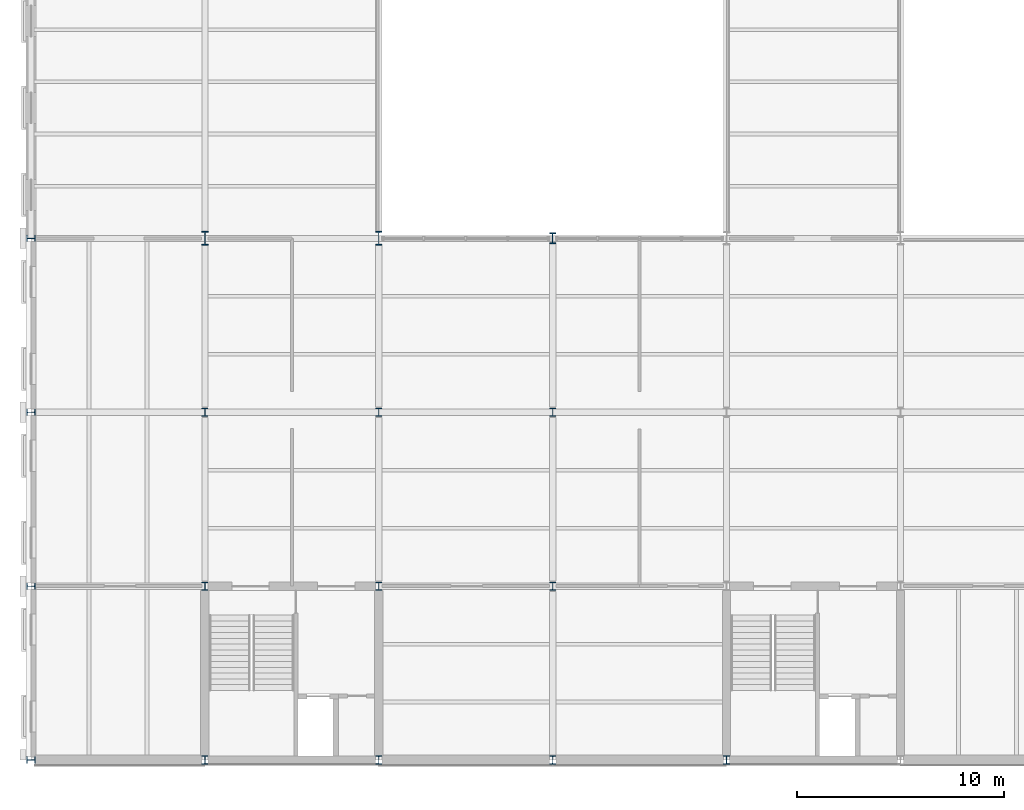
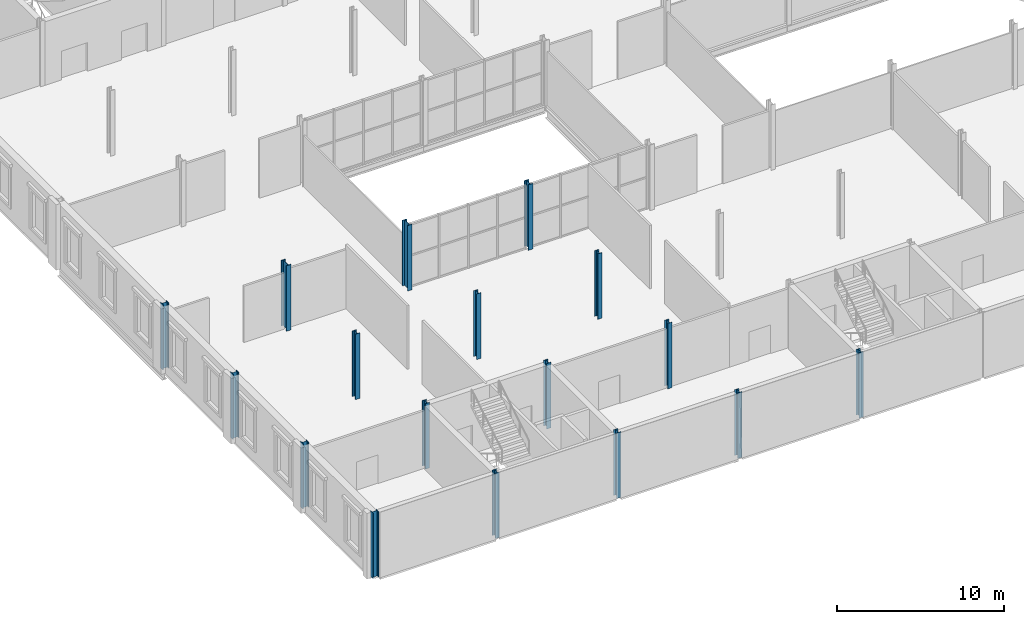
# One storey, part 1 of 52: 17 columns.
"""IFC4 building model written with IfcOpenShell, lengths in metres."""

from ifc_helpers import new_model, si_unit, direction, frame, origin, origin_2d, place, context, subcontext, project, spatial, i_section, extrude, material, material_profile, profile_set, type_object, element, save


model = new_model("IFC4")

# Units and contexts
model_context = context("Model", 3, precision=1e-05, world=origin(), true_north=direction((0.0, 1.0)))
body_context = subcontext(model_context, "Body", "Model", "MODEL_VIEW")
ifc_project = project(units=[si_unit("LENGTHUNIT", "METRE"), si_unit("AREAUNIT", "SQUARE_METRE"), si_unit("VOLUMEUNIT", "CUBIC_METRE"), si_unit("PLANEANGLEUNIT", "RADIAN"), si_unit("MASSUNIT", "GRAM", prefix="KILO")], contexts=[model_context])

# Site, building, storey
site_placement = place(None, origin())
site = spatial("IfcSite", under=ifc_project, at=site_placement, CompositionType="ELEMENT")
building_placement = place(site_placement, origin())
building = spatial("IfcBuilding", under=site, at=building_placement, Name="Galleria Vessillo Department Store", CompositionType="ELEMENT")
storey_placement = place(building_placement, frame((0.0, 0.0, 16.199951171875)))
storey = spatial("IfcBuildingStorey", under=building, at=storey_placement, Name="L03", CompositionType="ELEMENT", Elevation=16.199951171875)

# Columns
ifc_material_1 = material(Name="Steel S355 J2", Category="steel")
ifc_material_profile_1 = material_profile(ifc_material_1, i_section(OverallWidth=0.300048828125, OverallDepth=0.39990234375, WebThickness=0.013427734375, FlangeThickness=0.02392578125, FilletRadius=0.027099609375, at=origin_2d()), Name="HEB 400")
ifc_profile_set_1 = profile_set([ifc_material_profile_1], Name="Steel S355 J2")
column_type_1 = type_object("IfcColumnType", Name="Steel column HEB 400 CP2", PredefinedType="COLUMN", material=ifc_profile_set_1)
for number, where, z_axis, x_axis, name in (
    (1, (0.0, 0.0, 0.0), (0.0, 0.0, 1.0), (0.0, 1.0, 0.0), "S-COL-L03-1-A"),
    (2, (0.0, 8.39990234375, 0.0), (0.0, 0.0, 1.0), (0.0, 1.0, 0.0), "S-COL-L03-1-B"),
    (3, (0.0, 16.800048828125, 0.0), (0.0, 0.0, 1.0), (0.0, 1.0, 0.0), "S-COL-L03-1-C"),
    (4, (0.0, 25.199951171875, 0.0), (0.0, 0.0, 1.0), (0.0, 1.0, 0.0), "S-COL-L03-1-D"),
    (5, (8.39990234375, 0.0, 0.0), (0.0, 0.0, 1.0), (1.0, 0.0, 0.0), "S-COL-L03-2-A"),
    (6, (8.39990234375, 8.39990234375, 0.0), (0.0, 0.0, 1.0), (1.0, 0.0, 0.0), "S-COL-L03-2-B"),
    (7, (8.39990234375, 16.800048828125, 0.0), (0.0, 0.0, 1.0), (1.0, 0.0, 0.0), "S-COL-L03-2-C"),
    (8, (16.800048828125, 0.0, 0.0), (0.0, 0.0, 1.0), (1.0, 0.0, 0.0), "S-COL-L03-3-A"),
    (9, (16.800048828125, 8.39990234375, 0.0), (0.0, 0.0, 1.0), (1.0, 0.0, 0.0), "S-COL-L03-3-B"),
    (10, (16.800048828125, 16.800048828125, 0.0), (0.0, 0.0, 1.0), (1.0, 0.0, 0.0), "S-COL-L03-3-C"),
    (11, (25.199951171875, 0.0, 0.0), (0.0, 0.0, 1.0), (1.0, 0.0, 0.0), "S-COL-L03-4-A"),
    (12, (25.199951171875, 8.39990234375, 0.0), (0.0, 0.0, 1.0), (1.0, 0.0, 0.0), "S-COL-L03-4-B"),
    (13, (25.199951171875, 16.800048828125, 0.0), (0.0, 0.0, 1.0), (1.0, 0.0, 0.0), "S-COL-L03-4-C"),
    (14, (33.60009765625, 0.0, 0.0), (0.0, 0.0, 1.0), (1.0, 0.0, 0.0), "S-COL-L03-5-A"),
):
    element("IfcColumn", number, at=place(storey_placement, frame(where, z_axis=z_axis, x_axis=x_axis)), inside=storey, type_object=column_type_1, Name=name, PredefinedType="COLUMN", context=body_context, shape_type="SweptSolid", body=[
        extrude(i_section(OverallWidth=0.300048828125, OverallDepth=0.39990234375, WebThickness=0.013427734375, FlangeThickness=0.02392578125, FilletRadius=0.027099609375, at=origin_2d()), origin(), (0.0, 0.0, 1.0), 4.800048828125),
    ])
ifc_material_2 = material(Name="Steel S355 J2", Category="steel")
ifc_material_profile_2 = material_profile(ifc_material_2, i_section(OverallWidth=0.305908203125, OverallDepth=0.52392578125, WebThickness=0.02099609375, FlangeThickness=0.0400390625, FilletRadius=0.027099609375, at=origin_2d()), Name="HEM 500")
ifc_profile_set_2 = profile_set([ifc_material_profile_2], Name="Steel S355 J2")
column_type_2 = type_object("IfcColumnType", Name="Steel column HEM 500 CV1", PredefinedType="COLUMN", material=ifc_profile_set_2)
column_placement = place(storey_placement, frame((25.199951171875, 25.199951171875, 0.0), z_axis=(0.0, 0.0, 1.0), x_axis=(1.0, 0.0, 0.0)))
element("IfcColumn", 15, at=column_placement, inside=storey, type_object=column_type_2, Name="S-COL-L03-4-D", PredefinedType="COLUMN", context=body_context, shape_type="SweptSolid", body=[
    extrude(i_section(OverallWidth=0.305908203125, OverallDepth=0.52392578125, WebThickness=0.02099609375, FlangeThickness=0.0400390625, FilletRadius=0.027099609375, at=origin_2d()), origin(), (0.0, 0.0, 1.0), 4.800048828125),
])
ifc_material_3 = material(Name="Steel S355 J2", Category="steel")
ifc_material_profile_3 = material_profile(ifc_material_3, i_section(OverallWidth=0.304931640625, OverallDepth=0.66796875, WebThickness=0.02099609375, FlangeThickness=0.0400390625, FilletRadius=0.027099609375, at=origin_2d()), Name="HEM 650")
ifc_profile_set_3 = profile_set([ifc_material_profile_3], Name="Steel S355 J2")
column_type_3 = type_object("IfcColumnType", Name="Steel column HEM 650 CV3", PredefinedType="COLUMN", material=ifc_profile_set_3)
for number, where, z_axis, x_axis, name in (
    (16, (8.39990234375, 25.199951171875, 0.0), (0.0, 0.0, 1.0), (1.0, 0.0, 0.0), "S-COL-L03-2-D"),
    (17, (16.800048828125, 25.199951171875, 0.0), (0.0, 0.0, 1.0), (1.0, 0.0, 0.0), "S-COL-L03-3-D"),
):
    element("IfcColumn", number, at=place(storey_placement, frame(where, z_axis=z_axis, x_axis=x_axis)), inside=storey, type_object=column_type_3, Name=name, PredefinedType="COLUMN", context=body_context, shape_type="SweptSolid", body=[
        extrude(i_section(OverallWidth=0.304931640625, OverallDepth=0.66796875, WebThickness=0.02099609375, FlangeThickness=0.0400390625, FilletRadius=0.027099609375, at=origin_2d()), origin(), (0.0, 0.0, 1.0), 4.800048828125),
    ])

save(model, "model.ifc")
